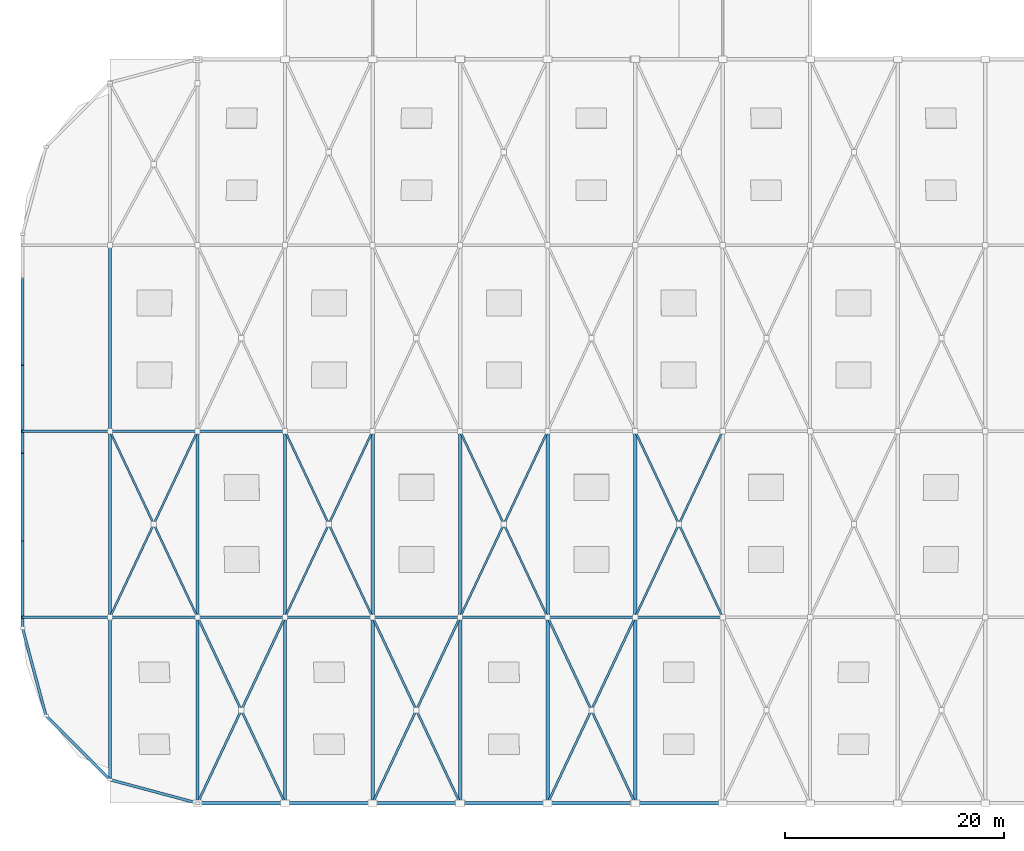
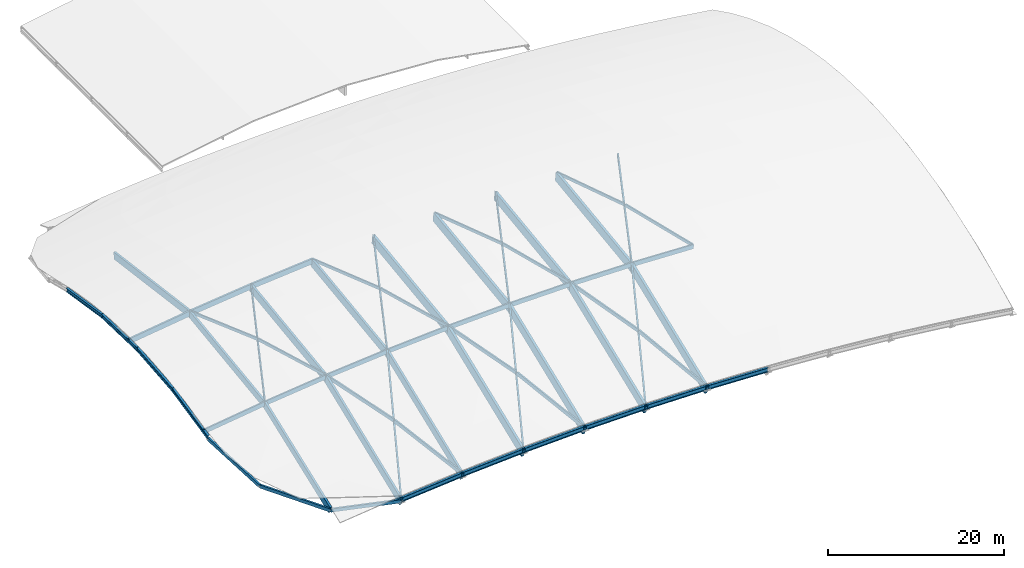
# One storey, part 1 of 11: 32 members, 28 beams.
"""IFC4 building model written with IfcOpenShell, lengths in metres."""

from ifc_helpers import new_model, si_unit, direction, frame, origin, origin_2d, place, context, subcontext, project, spatial, rectangle, hollow_rectangle, i_section, extrude, material, material_profile, profile_set, type_object, element, save


model = new_model("IFC4")

# Units and contexts
model_context = context("Model", 3, precision=1e-05, world=origin(), true_north=direction((0.0, 1.0)))
body_context = subcontext(model_context, "Body", "Model", "MODEL_VIEW")
ifc_project = project(units=[si_unit("LENGTHUNIT", "METRE"), si_unit("AREAUNIT", "SQUARE_METRE"), si_unit("VOLUMEUNIT", "CUBIC_METRE"), si_unit("PLANEANGLEUNIT", "RADIAN"), si_unit("MASSUNIT", "GRAM", prefix="KILO")], contexts=[model_context])

# Site, building, storey
site_placement = place(None, origin())
site = spatial("IfcSite", under=ifc_project, at=site_placement, CompositionType="ELEMENT")
building_placement = place(site_placement, origin())
building = spatial("IfcBuilding", under=site, at=building_placement, Name="Drelvana Railside Aquatics Centre", CompositionType="ELEMENT")
storey_placement = place(building_placement, frame((0.0, 0.0, 22.800048828125)))
storey = spatial("IfcBuildingStorey", under=building, at=storey_placement, Name="Roof", CompositionType="ELEMENT", Elevation=22.800048828125)

# Beams
ifc_material_1 = material(Name="Glulam timber GL28h", Category="wood")
ifc_material_profile_1 = material_profile(ifc_material_1, rectangle(XDim=0.280029296875, YDim=0.9599609375, at=origin_2d()), Name="GL28h 280x960")
ifc_profile_set_1 = profile_set([ifc_material_profile_1], Name="Glulam timber GL28h")
beam_type_1 = type_object("IfcBeamType", Name="STR-GLB-GA-03", PredefinedType="BEAM", material=ifc_profile_set_1)
beam_1_placement = place(storey_placement, frame((8.0, 18.199951171875, -6.26806640625), z_axis=(0.0, 0.934910647171, 0.354883194595), x_axis=(-1.0, 0.0, 0.0)))
element("IfcBeam", 1, at=beam_1_placement, inside=storey, type_object=beam_type_1, Name="Glulam gridshell primary arch rib X01.1", PredefinedType="BEAM", context=body_context, shape_type="SweptSolid", body=[
    extrude(rectangle(XDim=0.280029296875, YDim=0.9599609375, at=origin_2d()), origin(), (0.0, 0.0, 1.0), 15.87841796875),
])
for number, where, z_axis, x_axis, name in (
    (2, (8.0, 32.955078125, -0.656982421875), (0.0, 0.991354224176, 0.131212812671), (-1.0, 0.0, 0.0), "Glulam gridshell primary arch rib X01.2"),
    (3, (8.0, 49.955078125, 1.60498046875), (0.0, 0.991354224176, -0.131212812671), (-1.0, 0.0, 0.0), "Glulam gridshell primary arch rib X01.3"),
):
    element("IfcBeam", number, at=place(storey_placement, frame(where, z_axis=z_axis, x_axis=x_axis)), inside=storey, type_object=beam_type_1, Name=name, PredefinedType="BEAM", context=body_context, shape_type="SweptSolid", body=[
        extrude(rectangle(XDim=0.280029296875, YDim=0.9599609375, at=origin_2d()), origin(), (0.0, 0.0, 1.0), 17.23876953125),
    ])
ifc_material_profile_2 = material_profile(ifc_material_1, rectangle(XDim=0.280029296875, YDim=1.1201171875, at=origin_2d()), Name="GL28h 280x1120")
ifc_profile_set_2 = profile_set([ifc_material_profile_2], Name="Glulam timber GL28h")
beam_type_2 = type_object("IfcBeamType", Name="STR-GLB-GA-04", PredefinedType="BEAM", material=ifc_profile_set_2)
beam_2_placement = place(storey_placement, frame((16.0, 16.0, -6.574951171875), z_axis=(0.0, 0.929530699892, 0.368744732786), x_axis=(-1.0, 0.0, 0.0)))
element("IfcBeam", 4, at=beam_2_placement, inside=storey, type_object=beam_type_2, Name="Glulam gridshell primary arch rib X02.1", PredefinedType="BEAM", context=body_context, shape_type="SweptSolid", body=[
    extrude(rectangle(XDim=0.280029296875, YDim=1.1201171875, at=origin_2d()), origin(), (0.0, 0.0, 1.0), 18.337158203125),
])
beam_3_placement = place(storey_placement, frame((16.0, 32.955078125, 0.1630859375), z_axis=(0.0, 0.991354224176, 0.131212812671), x_axis=(-1.0, 0.0, 0.0)))
element("IfcBeam", 5, at=beam_3_placement, inside=storey, type_object=beam_type_2, Name="Glulam gridshell primary arch rib X02.2", PredefinedType="BEAM", context=body_context, shape_type="SweptSolid", body=[
    extrude(rectangle(XDim=0.280029296875, YDim=1.1201171875, at=origin_2d()), origin(), (0.0, 0.0, 1.0), 17.23876953125),
])
beam_4_placement = place(storey_placement, frame((24.0, 16.0, -5.875), z_axis=(0.0, 0.929526136341, 0.368756236367), x_axis=(-1.0, 0.0, 0.0)))
element("IfcBeam", 6, at=beam_4_placement, inside=storey, type_object=beam_type_2, Name="Glulam gridshell primary arch rib X03.1", PredefinedType="BEAM", context=body_context, shape_type="SweptSolid", body=[
    extrude(rectangle(XDim=0.280029296875, YDim=1.1201171875, at=origin_2d()), origin(), (0.0, 0.0, 1.0), 18.337158203125),
])
beam_5_placement = place(storey_placement, frame((24.0, 32.955078125, 0.863037109375), z_axis=(0.0, 0.991354224176, 0.131212812671), x_axis=(-1.0, 0.0, 0.0)))
element("IfcBeam", 7, at=beam_5_placement, inside=storey, type_object=beam_type_2, Name="Glulam gridshell primary arch rib X03.2", PredefinedType="BEAM", context=body_context, shape_type="SweptSolid", body=[
    extrude(rectangle(XDim=0.280029296875, YDim=1.1201171875, at=origin_2d()), origin(), (0.0, 0.0, 1.0), 17.23876953125),
])
ifc_material_profile_3 = material_profile(ifc_material_1, rectangle(XDim=0.320068359375, YDim=1.280029296875, at=origin_2d()), Name="GL28h 320x1280")
ifc_profile_set_3 = profile_set([ifc_material_profile_3], Name="Glulam timber GL28h")
beam_type_3 = type_object("IfcBeamType", Name="STR-GLB-GA-05", PredefinedType="BEAM", material=ifc_profile_set_3)
beam_6_placement = place(storey_placement, frame((32.0, 16.0, -5.455078125), z_axis=(0.0, 0.929526136341, 0.368756236367), x_axis=(-1.0, 0.0, 0.0)))
element("IfcBeam", 8, at=beam_6_placement, inside=storey, type_object=beam_type_3, Name="Glulam gridshell primary arch rib X04.1", PredefinedType="BEAM", context=body_context, shape_type="SweptSolid", body=[
    extrude(rectangle(XDim=0.320068359375, YDim=1.280029296875, at=origin_2d()), origin(), (0.0, 0.0, 1.0), 18.337158203125),
])
beam_7_placement = place(storey_placement, frame((32.0, 32.955078125, 1.282958984375), z_axis=(0.0, 0.991354224176, 0.131212812671), x_axis=(-1.0, 0.0, 0.0)))
element("IfcBeam", 9, at=beam_7_placement, inside=storey, type_object=beam_type_3, Name="Glulam gridshell primary arch rib X04.2", PredefinedType="BEAM", context=body_context, shape_type="SweptSolid", body=[
    extrude(rectangle(XDim=0.320068359375, YDim=1.280029296875, at=origin_2d()), origin(), (0.0, 0.0, 1.0), 17.23876953125),
])
beam_8_placement = place(storey_placement, frame((40.0, 16.0, -5.155029296875), z_axis=(0.0, 0.929526136341, 0.368756236367), x_axis=(-1.0, 0.0, 0.0)))
element("IfcBeam", 10, at=beam_8_placement, inside=storey, type_object=beam_type_3, Name="Glulam gridshell primary arch rib X05.1", PredefinedType="BEAM", context=body_context, shape_type="SweptSolid", body=[
    extrude(rectangle(XDim=0.320068359375, YDim=1.280029296875, at=origin_2d()), origin(), (0.0, 0.0, 1.0), 18.337158203125),
])
beam_9_placement = place(storey_placement, frame((40.0, 32.955078125, 1.5830078125), z_axis=(0.0, 0.991354224176, 0.131212812671), x_axis=(-1.0, 0.0, 0.0)))
element("IfcBeam", 11, at=beam_9_placement, inside=storey, type_object=beam_type_3, Name="Glulam gridshell primary arch rib X05.2", PredefinedType="BEAM", context=body_context, shape_type="SweptSolid", body=[
    extrude(rectangle(XDim=0.320068359375, YDim=1.280029296875, at=origin_2d()), origin(), (0.0, 0.0, 1.0), 17.23876953125),
])
beam_10_placement = place(storey_placement, frame((48.0, 16.0, -5.054931640625), z_axis=(0.0, 0.929530699892, 0.368744732786), x_axis=(-1.0, 0.0, 0.0)))
element("IfcBeam", 12, at=beam_10_placement, inside=storey, type_object=beam_type_3, Name="Glulam gridshell primary arch rib X06.1", PredefinedType="BEAM", context=body_context, shape_type="SweptSolid", body=[
    extrude(rectangle(XDim=0.320068359375, YDim=1.280029296875, at=origin_2d()), origin(), (0.0, 0.0, 1.0), 18.337158203125),
])
beam_11_placement = place(storey_placement, frame((48.0, 32.955078125, 1.68310546875), z_axis=(0.0, 0.991356066278, 0.131198894257), x_axis=(-1.0, 0.0, 0.0)))
element("IfcBeam", 13, at=beam_11_placement, inside=storey, type_object=beam_type_3, Name="Glulam gridshell primary arch rib X06.2", PredefinedType="BEAM", context=body_context, shape_type="SweptSolid", body=[
    extrude(rectangle(XDim=0.320068359375, YDim=1.280029296875, at=origin_2d()), origin(), (0.0, 0.0, 1.0), 17.23876953125),
])
beam_12_placement = place(storey_placement, frame((56.0, 16.0, -5.155029296875), z_axis=(0.0, 0.929526136341, 0.368756236367), x_axis=(-1.0, 0.0, 0.0)))
element("IfcBeam", 14, at=beam_12_placement, inside=storey, type_object=beam_type_3, Name="Glulam gridshell primary arch rib X07.1", PredefinedType="BEAM", context=body_context, shape_type="SweptSolid", body=[
    extrude(rectangle(XDim=0.320068359375, YDim=1.280029296875, at=origin_2d()), origin(), (0.0, 0.0, 1.0), 18.337158203125),
])
beam_13_placement = place(storey_placement, frame((56.0, 32.955078125, 1.5830078125), z_axis=(0.0, 0.991354224176, 0.131212812671), x_axis=(-1.0, 0.0, 0.0)))
element("IfcBeam", 15, at=beam_13_placement, inside=storey, type_object=beam_type_3, Name="Glulam gridshell primary arch rib X07.2", PredefinedType="BEAM", context=body_context, shape_type="SweptSolid", body=[
    extrude(rectangle(XDim=0.320068359375, YDim=1.280029296875, at=origin_2d()), origin(), (0.0, 0.0, 1.0), 17.23876953125),
])

# Members
ifc_material_profile_4 = material_profile(ifc_material_1, rectangle(XDim=0.179931640625, YDim=0.39990234375, at=origin_2d()), Name="GL28h 180x400")
ifc_profile_set_4 = profile_set([ifc_material_profile_4], Name="Glulam timber GL28h")
member_type_1 = type_object("IfcMemberType", Name="STR-GLM-GD-01", PredefinedType="BRACE", material=ifc_profile_set_4)
member_1_placement = place(storey_placement, frame((8.00634765625, 33.013671875, -0.32470703125), z_axis=(0.419943083435, 0.892359798277, 0.165353551804), x_axis=(-0.904815162631, 0.425804557834, 0.0)))
element("IfcMember", 16, at=member_1_placement, inside=storey, type_object=member_type_1, Name="Glulam gridshell continuous diagonal brace GD-001", PredefinedType="BRACE", context=body_context, shape_type="SweptSolid", body=[
    extrude(rectangle(XDim=0.179931640625, YDim=0.39990234375, at=origin_2d()), origin(), (0.0, 0.0, 1.0), 19.02001953125),
])
member_2_placement = place(storey_placement, frame((8.00634765625, 49.986328125, 1.921630859375), z_axis=(0.425788303052, -0.904777246514, -0.009080483139), x_axis=(0.904814550604, 0.425805858362, 0.0)))
element("IfcMember", 17, at=member_2_placement, inside=storey, type_object=member_type_1, Name="Glulam gridshell split diagonal brace GD-002A", PredefinedType="BRACE", context=body_context, shape_type="SweptSolid", body=[
    extrude(rectangle(XDim=0.179931640625, YDim=0.39990234375, at=origin_2d()), origin(), (0.0, 0.0, 1.0), 9.32958984375),
])
member_3_placement = place(storey_placement, frame((12.021240234375, 41.454833984375, 1.829833984375), z_axis=(0.421999372572, -0.896725972999, -0.133413113669), x_axis=(0.904814550604, 0.425805858362, 0.0)))
element("IfcMember", 18, at=member_3_placement, inside=storey, type_object=member_type_1, Name="Glulam gridshell split diagonal brace GD-003B", PredefinedType="BRACE", context=body_context, shape_type="SweptSolid", body=[
    extrude(rectangle(XDim=0.179931640625, YDim=0.39990234375, at=origin_2d()), origin(), (0.0, 0.0, 1.0), 9.413330078125),
])
member_4_placement = place(storey_placement, frame((24.00634765625, 33.013671875, 1.27490234375), z_axis=(0.421314601473, 0.895274211224, 0.144838162452), x_axis=(-0.904815162631, 0.425804557834, 0.0)))
element("IfcMember", 19, at=member_4_placement, inside=storey, type_object=member_type_1, Name="Glulam gridshell continuous diagonal brace GD-013", PredefinedType="BRACE", context=body_context, shape_type="SweptSolid", body=[
    extrude(rectangle(XDim=0.179931640625, YDim=0.39990234375, at=origin_2d()), origin(), (0.0, 0.0, 1.0), 18.9580078125),
])
member_5_placement = place(storey_placement, frame((24.00634765625, 49.986328125, 3.521484375), z_axis=(0.425609458899, -0.904397212305, -0.030368912899), x_axis=(0.904814550604, 0.425805858362, 0.0)))
element("IfcMember", 20, at=member_5_placement, inside=storey, type_object=member_type_1, Name="Glulam gridshell split diagonal brace GD-014A", PredefinedType="BRACE", context=body_context, shape_type="SweptSolid", body=[
    extrude(rectangle(XDim=0.179931640625, YDim=0.39990234375, at=origin_2d()), origin(), (0.0, 0.0, 1.0), 9.33349609375),
])
member_6_placement = place(storey_placement, frame((28.021240234375, 41.454833984375, 3.228759765625), z_axis=(0.42072255736, -0.894012809338, -0.154057218164), x_axis=(0.904814550604, 0.425805858362, 0.0)))
element("IfcMember", 21, at=member_6_placement, inside=storey, type_object=member_type_1, Name="Glulam gridshell split diagonal brace GD-015B", PredefinedType="BRACE", context=body_context, shape_type="SweptSolid", body=[
    extrude(rectangle(XDim=0.179931640625, YDim=0.39990234375, at=origin_2d()), origin(), (0.0, 0.0, 1.0), 9.44189453125),
])
member_7_placement = place(storey_placement, frame((40.00634765625, 33.013671875, 2.07470703125), z_axis=(0.422512496583, 0.897819683411, 0.124108848642), x_axis=(-0.904815162631, 0.425804557834, 0.0)))
element("IfcMember", 22, at=member_7_placement, inside=storey, type_object=member_type_1, Name="Glulam gridshell continuous diagonal brace GD-025", PredefinedType="BRACE", context=body_context, shape_type="SweptSolid", body=[
    extrude(rectangle(XDim=0.179931640625, YDim=0.39990234375, at=origin_2d()), origin(), (0.0, 0.0, 1.0), 18.904296875),
])
member_8_placement = place(storey_placement, frame((40.00634765625, 49.986328125, 4.321044921875), z_axis=(0.425238832929, -0.903609652051, -0.051590034798), x_axis=(0.904814550604, 0.425805858362, 0.0)))
element("IfcMember", 23, at=member_8_placement, inside=storey, type_object=member_type_1, Name="Glulam gridshell split diagonal brace GD-026A", PredefinedType="BRACE", context=body_context, shape_type="SweptSolid", body=[
    extrude(rectangle(XDim=0.179931640625, YDim=0.39990234375, at=origin_2d()), origin(), (0.0, 0.0, 1.0), 9.341552734375),
])
member_9_placement = place(storey_placement, frame((44.021240234375, 41.454833984375, 3.82763671875), z_axis=(0.419274562006, -0.890935897079, -0.174476557024), x_axis=(0.904814550604, 0.425805858362, 0.0)))
element("IfcMember", 24, at=member_9_placement, inside=storey, type_object=member_type_1, Name="Glulam gridshell split diagonal brace GD-027B", PredefinedType="BRACE", context=body_context, shape_type="SweptSolid", body=[
    extrude(rectangle(XDim=0.179931640625, YDim=0.39990234375, at=origin_2d()), origin(), (0.0, 0.0, 1.0), 9.474609375),
])
member_10_placement = place(storey_placement, frame((56.00634765625, 33.013671875, 2.074462890625), z_axis=(0.423529764879, 0.899981331898, 0.103228583725), x_axis=(-0.904815162631, 0.425804557834, 0.0)))
element("IfcMember", 25, at=member_10_placement, inside=storey, type_object=member_type_1, Name="Glulam gridshell continuous diagonal brace GD-037", PredefinedType="BRACE", context=body_context, shape_type="SweptSolid", body=[
    extrude(rectangle(XDim=0.179931640625, YDim=0.39990234375, at=origin_2d()), origin(), (0.0, 0.0, 1.0), 18.85888671875),
])
member_11_placement = place(storey_placement, frame((56.00634765625, 49.986328125, 4.32080078125), z_axis=(0.424677018704, -0.902415827034, -0.072767471461), x_axis=(0.904814550604, 0.425805858362, 0.0)))
element("IfcMember", 26, at=member_11_placement, inside=storey, type_object=member_type_1, Name="Glulam gridshell split diagonal brace GD-038A", PredefinedType="BRACE", context=body_context, shape_type="SweptSolid", body=[
    extrude(rectangle(XDim=0.179931640625, YDim=0.39990234375, at=origin_2d()), origin(), (0.0, 0.0, 1.0), 9.35400390625),
])
member_12_placement = place(storey_placement, frame((60.021240234375, 41.454833984375, 3.626708984375), z_axis=(0.417657314588, -0.887499333286, -0.194697973766), x_axis=(0.904814550604, 0.425805858362, 0.0)))
element("IfcMember", 27, at=member_12_placement, inside=storey, type_object=member_type_1, Name="Glulam gridshell split diagonal brace GD-039B", PredefinedType="BRACE", context=body_context, shape_type="SweptSolid", body=[
    extrude(rectangle(XDim=0.179931640625, YDim=0.39990234375, at=origin_2d()), origin(), (0.0, 0.0, 1.0), 9.51123046875),
])
ifc_material_profile_5 = material_profile(ifc_material_1, rectangle(XDim=0.199951171875, YDim=0.47998046875, at=origin_2d()), Name="GL28h 200x480")
ifc_profile_set_5 = profile_set([ifc_material_profile_5], Name="Glulam timber GL28h")
member_type_2 = type_object("IfcMemberType", Name="STR-GLM-GD-02", PredefinedType="BRACE", material=ifc_profile_set_5)
member_13_placement = place(storey_placement, frame((16.00634765625, 16.013671875, -6.211181640625), z_axis=(0.395822755558, 0.841105207434, 0.368600564581), x_axis=(-0.904815162631, 0.425804557834, 0.0)))
element("IfcMember", 28, at=member_13_placement, inside=storey, type_object=member_type_2, Name="Glulam gridshell continuous diagonal brace GD-007", PredefinedType="BRACE", context=body_context, shape_type="SweptSolid", body=[
    extrude(rectangle(XDim=0.199951171875, YDim=0.47998046875, at=origin_2d()), origin(), (0.0, 0.0, 1.0), 20.178955078125),
])
member_14_placement = place(storey_placement, frame((16.00634765625, 32.986328125, 0.528076171875), z_axis=(0.412181055143, -0.875862576459, -0.250941277871), x_axis=(0.904814550604, 0.425805858362, 0.0)))
element("IfcMember", 29, at=member_14_placement, inside=storey, type_object=member_type_2, Name="Glulam gridshell split diagonal brace GD-008A", PredefinedType="BRACE", context=body_context, shape_type="SweptSolid", body=[
    extrude(rectangle(XDim=0.199951171875, YDim=0.47998046875, at=origin_2d()), origin(), (0.0, 0.0, 1.0), 9.637451171875),
])
member_15_placement = place(storey_placement, frame((20.021240234375, 24.454833984375, -1.922607421875), z_axis=(0.397399697975, -0.844452987369, -0.359127598735), x_axis=(0.904814550604, 0.425805858362, 0.0)))
element("IfcMember", 30, at=member_15_placement, inside=storey, type_object=member_type_2, Name="Glulam gridshell split diagonal brace GD-009B", PredefinedType="BRACE", context=body_context, shape_type="SweptSolid", body=[
    extrude(rectangle(XDim=0.199951171875, YDim=0.47998046875, at=origin_2d()), origin(), (0.0, 0.0, 1.0), 9.99609375),
])
member_16_placement = place(storey_placement, frame((32.00634765625, 16.013671875, -5.011474609375), z_axis=(0.398663395605, 0.847141437293, 0.351310236438), x_axis=(-0.904815162631, 0.425804557834, 0.0)))
element("IfcMember", 31, at=member_16_placement, inside=storey, type_object=member_type_2, Name="Glulam gridshell continuous diagonal brace GD-019", PredefinedType="BRACE", context=body_context, shape_type="SweptSolid", body=[
    extrude(rectangle(XDim=0.199951171875, YDim=0.47998046875, at=origin_2d()), origin(), (0.0, 0.0, 1.0), 20.03515625),
])
member_17_placement = place(storey_placement, frame((32.00634765625, 32.986328125, 1.727783203125), z_axis=(0.409978367947, -0.871181984622, -0.270110509766), x_axis=(0.904814550604, 0.425805858362, 0.0)))
element("IfcMember", 32, at=member_17_placement, inside=storey, type_object=member_type_2, Name="Glulam gridshell split diagonal brace GD-020A", PredefinedType="BRACE", context=body_context, shape_type="SweptSolid", body=[
    extrude(rectangle(XDim=0.199951171875, YDim=0.47998046875, at=origin_2d()), origin(), (0.0, 0.0, 1.0), 9.689208984375),
])
member_18_placement = place(storey_placement, frame((36.021240234375, 24.454833984375, -0.923828125), z_axis=(0.39452270737, -0.838339537048, -0.376216233025), x_axis=(0.904814550604, 0.425805858362, 0.0)))
element("IfcMember", 33, at=member_18_placement, inside=storey, type_object=member_type_2, Name="Glulam gridshell split diagonal brace GD-021B", PredefinedType="BRACE", context=body_context, shape_type="SweptSolid", body=[
    extrude(rectangle(XDim=0.199951171875, YDim=0.47998046875, at=origin_2d()), origin(), (0.0, 0.0, 1.0), 10.06884765625),
])
member_19_placement = place(storey_placement, frame((48.00634765625, 16.013671875, -4.61181640625), z_axis=(0.401402613105, 0.852962148888, 0.333663775015), x_axis=(-0.904815162631, 0.425804557834, 0.0)))
element("IfcMember", 34, at=member_19_placement, inside=storey, type_object=member_type_2, Name="Glulam gridshell continuous diagonal brace GD-031", PredefinedType="BRACE", context=body_context, shape_type="SweptSolid", body=[
    extrude(rectangle(XDim=0.199951171875, YDim=0.47998046875, at=origin_2d()), origin(), (0.0, 0.0, 1.0), 19.8984375),
])
member_20_placement = place(storey_placement, frame((48.00634765625, 32.986328125, 2.12744140625), z_axis=(0.407643933163, -0.866221436243, -0.288940905978), x_axis=(0.904814550604, 0.425805858362, 0.0)))
element("IfcMember", 35, at=member_20_placement, inside=storey, type_object=member_type_2, Name="Glulam gridshell split diagonal brace GD-032A", PredefinedType="BRACE", context=body_context, shape_type="SweptSolid", body=[
    extrude(rectangle(XDim=0.199951171875, YDim=0.47998046875, at=origin_2d()), origin(), (0.0, 0.0, 1.0), 9.744873046875),
])
member_21_placement = place(storey_placement, frame((52.021240234375, 24.454833984375, -0.724853515625), z_axis=(0.391550308633, -0.832023349579, -0.392970102635), x_axis=(0.904814550604, 0.425805858362, 0.0)))
element("IfcMember", 36, at=member_21_placement, inside=storey, type_object=member_type_2, Name="Glulam gridshell split diagonal brace GD-033B", PredefinedType="BRACE", context=body_context, shape_type="SweptSolid", body=[
    extrude(rectangle(XDim=0.199951171875, YDim=0.47998046875, at=origin_2d()), origin(), (0.0, 0.0, 1.0), 10.145263671875),
])
ifc_material_profile_6 = material_profile(ifc_material_1, rectangle(XDim=0.199951171875, YDim=0.60009765625, at=origin_2d()), Name="GL28h 200x600")
ifc_profile_set_6 = profile_set([ifc_material_profile_6], Name="Glulam timber GL28h")
member_type_3 = type_object("IfcMemberType", Name="STR-GLM-GR-04", PredefinedType="RAFTER", material=ifc_profile_set_6)
member_22_placement = place(storey_placement, frame((0.0, 33.0, -1.56494140625), z_axis=(0.990690601984, 0.0, 0.136132770265), x_axis=(0.0, 1.0, 0.0)))
element("IfcMember", 37, at=member_22_placement, inside=storey, type_object=member_type_3, Name="Glulam gridshell longitudinal rib Y01.1", PredefinedType="RAFTER", context=body_context, shape_type="SweptSolid", body=[
    extrude(rectangle(XDim=0.199951171875, YDim=0.60009765625, at=origin_2d()), origin(), (0.0, 0.0, 1.0), 8.12060546875),
])
member_23_placement = place(storey_placement, frame((7.955078125, 33.0, -0.470703125), z_axis=(0.993730649812, 0.0, 0.111800695995), x_axis=(0.0, 1.0, 0.0)))
element("IfcMember", 38, at=member_23_placement, inside=storey, type_object=member_type_3, Name="Glulam gridshell longitudinal rib Y01.2", PredefinedType="RAFTER", context=body_context, shape_type="SweptSolid", body=[
    extrude(rectangle(XDim=0.199951171875, YDim=0.60009765625, at=origin_2d()), origin(), (0.0, 0.0, 1.0), 8.140869140625),
])
member_24_placement = place(storey_placement, frame((15.955078125, 33.0, 0.430419921875), z_axis=(0.996192150981, 0.0, 0.087184851456), x_axis=(0.0, 1.0, 0.0)))
element("IfcMember", 39, at=member_24_placement, inside=storey, type_object=member_type_3, Name="Glulam gridshell longitudinal rib Y01.3", PredefinedType="RAFTER", context=body_context, shape_type="SweptSolid", body=[
    extrude(rectangle(XDim=0.199951171875, YDim=0.60009765625, at=origin_2d()), origin(), (0.0, 0.0, 1.0), 8.120849609375),
])
member_25_placement = place(storey_placement, frame((23.955078125, 33.0, 1.131591796875), z_axis=(0.998052578483, 0.0, 0.062378286155), x_axis=(0.0, 1.0, 0.0)))
element("IfcMember", 40, at=member_25_placement, inside=storey, type_object=member_type_3, Name="Glulam gridshell longitudinal rib Y01.4", PredefinedType="RAFTER", context=body_context, shape_type="SweptSolid", body=[
    extrude(rectangle(XDim=0.199951171875, YDim=0.60009765625, at=origin_2d()), origin(), (0.0, 0.0, 1.0), 8.105712890625),
])
member_26_placement = place(storey_placement, frame((31.955078125, 33.0, 1.6328125), z_axis=(0.999298293136, 0.0, 0.037455591504), x_axis=(0.0, 1.0, 0.0)))
element("IfcMember", 41, at=member_26_placement, inside=storey, type_object=member_type_3, Name="Glulam gridshell longitudinal rib Y01.5", PredefinedType="RAFTER", context=body_context, shape_type="SweptSolid", body=[
    extrude(rectangle(XDim=0.199951171875, YDim=0.60009765625, at=origin_2d()), origin(), (0.0, 0.0, 1.0), 8.095458984375),
])
for number, where, z_axis, x_axis, name in (
    (42, (39.955078125, 33.0, 1.933837890625), (0.999921959565, 0.0, 0.012492989234), (0.0, 1.0, 0.0), "Glulam gridshell longitudinal rib Y01.6"),
    (43, (47.955078125, 33.0, 2.034912109375), (0.999921959565, 0.0, -0.012492989234), (0.0, 1.0, 0.0), "Glulam gridshell longitudinal rib Y01.7"),
):
    element("IfcMember", number, at=place(storey_placement, frame(where, z_axis=z_axis, x_axis=x_axis)), inside=storey, type_object=member_type_3, Name=name, PredefinedType="RAFTER", context=body_context, shape_type="SweptSolid", body=[
        extrude(rectangle(XDim=0.199951171875, YDim=0.60009765625, at=origin_2d()), origin(), (0.0, 0.0, 1.0), 8.090576171875),
    ])
member_27_placement = place(storey_placement, frame((55.955078125, 33.0, 1.93603515625), z_axis=(0.999298293136, 0.0, -0.037455591504), x_axis=(0.0, 1.0, 0.0)))
element("IfcMember", 44, at=member_27_placement, inside=storey, type_object=member_type_3, Name="Glulam gridshell longitudinal rib Y01.8", PredefinedType="RAFTER", context=body_context, shape_type="SweptSolid", body=[
    extrude(rectangle(XDim=0.199951171875, YDim=0.60009765625, at=origin_2d()), origin(), (0.0, 0.0, 1.0), 8.095458984375),
])
ifc_material_profile_7 = material_profile(ifc_material_1, rectangle(XDim=0.239990234375, YDim=0.719970703125, at=origin_2d()), Name="GL28h 240x720")
ifc_profile_set_7 = profile_set([ifc_material_profile_7], Name="Glulam timber GL28h")
member_type_4 = type_object("IfcMemberType", Name="STR-GLM-GR-05", PredefinedType="RAFTER", material=ifc_profile_set_7)
member_28_placement = place(storey_placement, frame((0.0, 50.0, 0.625), z_axis=(0.990690601984, 0.0, 0.136132770265), x_axis=(0.0, 1.0, 0.0)))
element("IfcMember", 45, at=member_28_placement, inside=storey, type_object=member_type_4, Name="Glulam gridshell longitudinal rib Y02.1", PredefinedType="RAFTER", context=body_context, shape_type="SweptSolid", body=[
    extrude(rectangle(XDim=0.239990234375, YDim=0.719970703125, at=origin_2d()), origin(), (0.0, 0.0, 1.0), 8.12060546875),
])
member_29_placement = place(storey_placement, frame((7.955078125, 50.0, 1.71923828125), z_axis=(0.993730649812, 0.0, 0.111800695995), x_axis=(0.0, 1.0, 0.0)))
element("IfcMember", 46, at=member_29_placement, inside=storey, type_object=member_type_4, Name="Glulam gridshell longitudinal rib Y02.2", PredefinedType="RAFTER", context=body_context, shape_type="SweptSolid", body=[
    extrude(rectangle(XDim=0.239990234375, YDim=0.719970703125, at=origin_2d()), origin(), (0.0, 0.0, 1.0), 8.140869140625),
])
member_30_placement = place(storey_placement, frame((15.955078125, 50.0, 2.620361328125), z_axis=(0.996192150981, 0.0, 0.087184851456), x_axis=(0.0, 1.0, 0.0)))
element("IfcMember", 47, at=member_30_placement, inside=storey, type_object=member_type_4, Name="Glulam gridshell longitudinal rib Y02.3", PredefinedType="RAFTER", context=body_context, shape_type="SweptSolid", body=[
    extrude(rectangle(XDim=0.239990234375, YDim=0.719970703125, at=origin_2d()), origin(), (0.0, 0.0, 1.0), 8.120849609375),
])

# Beams
ifc_material_2 = material(Name="Structural steel S355", Category="steel")
ifc_material_profile_8 = material_profile(ifc_material_2, i_section(OverallWidth=0.300048828125, OverallDepth=0.5, WebThickness=0.014404296875, FlangeThickness=0.028076171875, at=origin_2d()), Name="HEB 500")
ifc_profile_set_8 = profile_set([ifc_material_profile_8], Name="Structural steel S355")
beam_type_4 = type_object("IfcBeamType", Name="STR-SBM-RB-01-HEB-500", PredefinedType="USERDEFINED", material=ifc_profile_set_8)
beam_14_placement = place(storey_placement, frame((0.0, 32.0, -1.75146484375), z_axis=(0.0, 0.977055375556, 0.212985429309), x_axis=(-1.0, 0.0, 0.0)))
element("IfcBeam", 48, at=beam_14_placement, inside=storey, type_object=beam_type_4, Name="Gridshell West Ring Beam RB-01 W-01", ObjectType="RING BEAM", PredefinedType="USERDEFINED", context=body_context, shape_type="SweptSolid", body=[
    extrude(i_section(OverallWidth=0.300048828125, OverallDepth=0.5, WebThickness=0.014404296875, FlangeThickness=0.028076171875, at=origin_2d()), origin(), (0.0, 0.0, 1.0), 8.18798828125),
])
beam_15_placement = place(storey_placement, frame((0.0, 40.0, -0.007568359375), z_axis=(0.0, 0.995665232758, 0.093009377364), x_axis=(-1.0, 0.0, 0.0)))
element("IfcBeam", 49, at=beam_15_placement, inside=storey, type_object=beam_type_4, Name="Gridshell West Ring Beam RB-01 W-02", ObjectType="RING BEAM", PredefinedType="USERDEFINED", context=body_context, shape_type="SweptSolid", body=[
    extrude(i_section(OverallWidth=0.300048828125, OverallDepth=0.5, WebThickness=0.014404296875, FlangeThickness=0.028076171875, at=origin_2d()), origin(), (0.0, 0.0, 1.0), 8.034912109375),
])
beam_16_placement = place(storey_placement, frame((0.0, 48.0, 0.73974609375), z_axis=(0.0, 0.999515877785, -0.031112859965), x_axis=(-1.0, 0.0, 0.0)))
element("IfcBeam", 50, at=beam_16_placement, inside=storey, type_object=beam_type_4, Name="Gridshell West Ring Beam RB-01 W-03", ObjectType="RING BEAM", PredefinedType="USERDEFINED", context=body_context, shape_type="SweptSolid", body=[
    extrude(i_section(OverallWidth=0.300048828125, OverallDepth=0.5, WebThickness=0.014404296875, FlangeThickness=0.028076171875, at=origin_2d()), origin(), (0.0, 0.0, 1.0), 8.00390625),
])
beam_17_placement = place(storey_placement, frame((0.0, 56.0, 0.49072265625), z_axis=(0.0, 0.988094679346, -0.153847017029), x_axis=(-1.0, 0.0, 0.0)))
element("IfcBeam", 51, at=beam_17_placement, inside=storey, type_object=beam_type_4, Name="Gridshell West Ring Beam RB-01 W-04", ObjectType="RING BEAM", PredefinedType="USERDEFINED", context=body_context, shape_type="SweptSolid", body=[
    extrude(i_section(OverallWidth=0.300048828125, OverallDepth=0.5, WebThickness=0.014404296875, FlangeThickness=0.028076171875, at=origin_2d()), origin(), (0.0, 0.0, 1.0), 8.096435546875),
])
ifc_material_profile_9 = material_profile(ifc_material_2, i_section(OverallWidth=0.300048828125, OverallDepth=0.60009765625, WebThickness=0.015380859375, FlangeThickness=0.030029296875, at=origin_2d()), Name="HEB 600")
ifc_profile_set_9 = profile_set([ifc_material_profile_9], Name="Structural steel S355")
beam_type_5 = type_object("IfcBeamType", Name="STR-SBM-RB-02-HEB-600", PredefinedType="USERDEFINED", material=ifc_profile_set_9)
beam_18_placement = place(storey_placement, frame((16.0, 16.0, -6.279052734375), z_axis=(0.996194245461, 0.0, 0.087160916191), x_axis=(0.0, 1.0, 0.0)))
element("IfcBeam", 52, at=beam_18_placement, inside=storey, type_object=beam_type_5, Name="Gridshell Ring Beam RB-02 S-02", ObjectType="RING BEAM", PredefinedType="USERDEFINED", context=body_context, shape_type="SweptSolid", body=[
    extrude(i_section(OverallWidth=0.300048828125, OverallDepth=0.60009765625, WebThickness=0.015380859375, FlangeThickness=0.030029296875, at=origin_2d()), origin(), (0.0, 0.0, 1.0), 8.030517578125),
])
beam_19_placement = place(storey_placement, frame((24.0, 16.0, -5.5791015625), z_axis=(0.998052578483, 0.0, 0.062378286155), x_axis=(0.0, 1.0, 0.0)))
element("IfcBeam", 53, at=beam_19_placement, inside=storey, type_object=beam_type_5, Name="Gridshell Ring Beam RB-02 S-03", ObjectType="RING BEAM", PredefinedType="USERDEFINED", context=body_context, shape_type="SweptSolid", body=[
    extrude(i_section(OverallWidth=0.300048828125, OverallDepth=0.60009765625, WebThickness=0.015380859375, FlangeThickness=0.030029296875, at=origin_2d()), origin(), (0.0, 0.0, 1.0), 8.015625),
])
beam_20_placement = place(storey_placement, frame((32.0, 16.0, -5.0791015625), z_axis=(0.999297387291, 0.0, 0.037479751251), x_axis=(0.0, 1.0, 0.0)))
element("IfcBeam", 54, at=beam_20_placement, inside=storey, type_object=beam_type_5, Name="Gridshell Ring Beam RB-02 S-04", ObjectType="RING BEAM", PredefinedType="USERDEFINED", context=body_context, shape_type="SweptSolid", body=[
    extrude(i_section(OverallWidth=0.300048828125, OverallDepth=0.60009765625, WebThickness=0.015380859375, FlangeThickness=0.030029296875, at=origin_2d()), origin(), (0.0, 0.0, 1.0), 8.005615234375),
])
for number, where, z_axis, x_axis, name in (
    (55, (40.0, 16.0, -4.779052734375), (0.999921731527, 0.0, 0.01251122772), (0.0, 1.0, 0.0), "Gridshell Ring Beam RB-02 S-05"),
    (56, (48.0, 16.0, -4.678955078125), (0.999921731527, 0.0, -0.01251122772), (0.0, 1.0, 0.0), "Gridshell Ring Beam RB-02 S-06"),
):
    element("IfcBeam", number, at=place(storey_placement, frame(where, z_axis=z_axis, x_axis=x_axis)), inside=storey, type_object=beam_type_5, Name=name, ObjectType="RING BEAM", PredefinedType="USERDEFINED", context=body_context, shape_type="SweptSolid", body=[
        extrude(i_section(OverallWidth=0.300048828125, OverallDepth=0.60009765625, WebThickness=0.015380859375, FlangeThickness=0.030029296875, at=origin_2d()), origin(), (0.0, 0.0, 1.0), 8.000732421875),
    ])
beam_21_placement = place(storey_placement, frame((56.0, 16.0, -4.779052734375), z_axis=(0.999297387291, 0.0, -0.037479751251), x_axis=(0.0, 1.0, 0.0)))
element("IfcBeam", 57, at=beam_21_placement, inside=storey, type_object=beam_type_5, Name="Gridshell Ring Beam RB-02 S-07", ObjectType="RING BEAM", PredefinedType="USERDEFINED", context=body_context, shape_type="SweptSolid", body=[
    extrude(i_section(OverallWidth=0.300048828125, OverallDepth=0.60009765625, WebThickness=0.015380859375, FlangeThickness=0.030029296875, at=origin_2d()), origin(), (0.0, 0.0, 1.0), 8.005615234375),
])
ifc_material_profile_10 = material_profile(ifc_material_2, hollow_rectangle(XDim=0.25, YDim=0.449951171875, WallThickness=0.01611328125, at=origin_2d()), Name="RHS 450x250x16")
ifc_profile_set_10 = profile_set([ifc_material_profile_10], Name="Structural steel S355")
beam_type_6 = type_object("IfcBeamType", Name="STR-SBM-RB-03-RHS-450x250x16", PredefinedType="USERDEFINED", material=ifc_profile_set_10)
beam_22_placement = place(storey_placement, frame((0.0, 32.0, -1.984619140625), z_axis=(0.248378209628, -0.926976898986, -0.281108686683), x_axis=(0.965926999034, 0.25881466832, 0.0)))
element("IfcBeam", 58, at=beam_22_placement, inside=storey, type_object=beam_type_6, Name="Gridshell Corner Ring Beam RB-03 SW-1", ObjectType="RING BEAM", PredefinedType="USERDEFINED", context=body_context, shape_type="SweptSolid", body=[
    extrude(hollow_rectangle(XDim=0.25, YDim=0.449951171875, WallThickness=0.01611328125, at=origin_2d()), origin(), (0.0, 0.0, 1.0), 8.630126953125),
])
beam_23_placement = place(storey_placement, frame((2.1435546875, 24.0, -4.41064453125), z_axis=(0.690059804655, -0.690059804655, -0.218254282888), x_axis=(0.707106781187, 0.707106781187, 0.0)))
element("IfcBeam", 59, at=beam_23_placement, inside=storey, type_object=beam_type_6, Name="Gridshell Corner Ring Beam RB-03 SW-2", ObjectType="RING BEAM", PredefinedType="USERDEFINED", context=body_context, shape_type="SweptSolid", body=[
    extrude(hollow_rectangle(XDim=0.25, YDim=0.449951171875, WallThickness=0.01611328125, at=origin_2d()), origin(), (0.0, 0.0, 1.0), 8.48681640625),
])
beam_24_placement = place(storey_placement, frame((8.0, 18.1435546875, -6.262939453125), z_axis=(0.965647683583, -0.258739827327, -0.024046890558), x_axis=(0.25881466832, 0.965926999034, 0.0)))
element("IfcBeam", 60, at=beam_24_placement, inside=storey, type_object=beam_type_6, Name="Gridshell Corner Ring Beam RB-03 SW-3", ObjectType="RING BEAM", PredefinedType="USERDEFINED", context=body_context, shape_type="SweptSolid", body=[
    extrude(hollow_rectangle(XDim=0.25, YDim=0.449951171875, WallThickness=0.01611328125, at=origin_2d()), origin(), (0.0, 0.0, 1.0), 8.28466796875),
])

save(model, "model.ifc")
